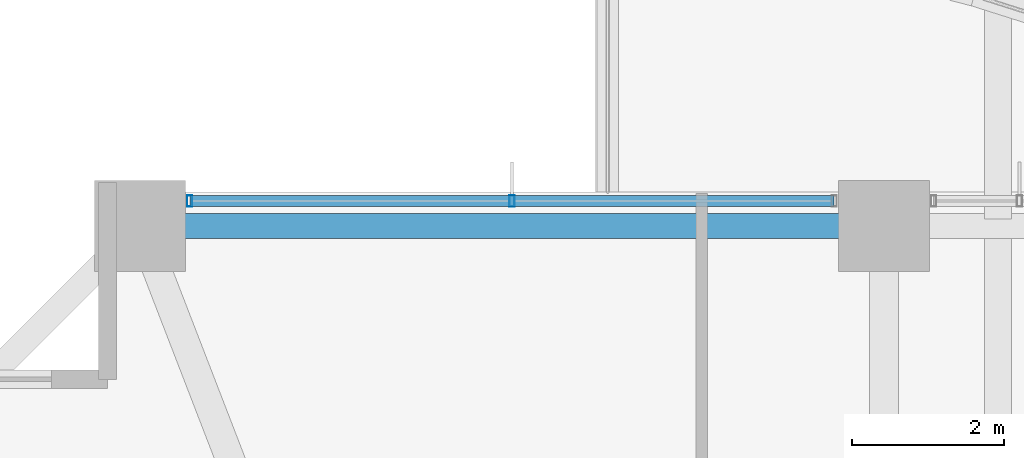
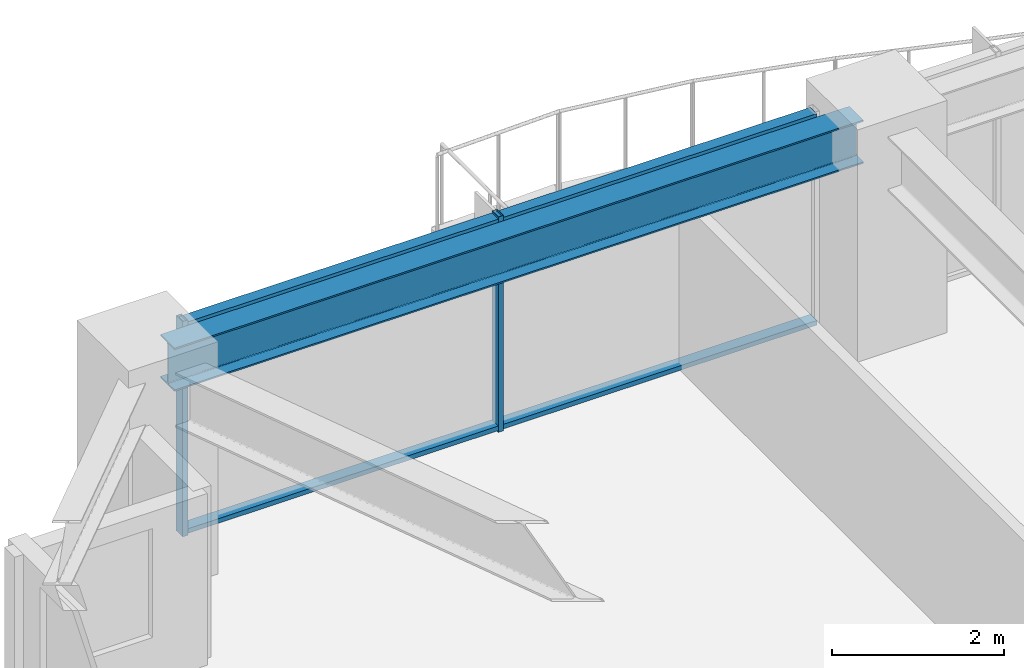
# One storey, part 19 of 38: 4 members, 1 beam, 1 element without a shape of its own.
"""IFC4 building model written with IfcOpenShell, lengths in metres."""

import ifcopenshell
import ifcopenshell.guid

model = None  # the IFC model being written
_history = None  # IfcOwnerHistory: only IFC2X3 demands one
_inside = {}  # id of a spatial element -> (the spatial element, [elements in it])
_under = {}  # id of a project, library or spatial element -> (it, [spatial elements below it])
_declared = {}  # id of a project -> (the project, [libraries it declares])
_typed = {}  # id of a type object -> (the type object, [elements of that type])
_made_of = {}  # id of a material, layer set ... -> (it, [elements and type objects made of it])


def new_model(schema):
    """Start an empty IFC model of exactly this schema.

    Asked for "IFC4X3", IfcOpenShell would pick the latest addendum, in which some entities
    have other attributes; the version numbers below select the first issue.
    IFC2X3 requires an IfcOwnerHistory on every rooted entity: one is made here for all.
    """
    global model, _history
    if schema == "IFC4X3":
        model = ifcopenshell.file(schema_version=(4, 3, 0, 0))
    else:
        model = ifcopenshell.file(schema=schema)
    _inside.clear()
    _under.clear()
    _declared.clear()
    _typed.clear()
    _made_of.clear()
    _history = None
    if model.schema == "IFC2X3":
        org = make("IfcOrganization", Name="unknown")
        user = make(
            "IfcPersonAndOrganization",
            ThePerson=make("IfcPerson", FamilyName="unknown"),
            TheOrganization=org,
        )
        app = make(
            "IfcApplication",
            ApplicationDeveloper=org,
            Version="unknown",
            ApplicationFullName="unknown",
            ApplicationIdentifier="unknown",
        )
        _history = make(
            "IfcOwnerHistory",
            OwningUser=user,
            OwningApplication=app,
            ChangeAction="ADDED",
            CreationDate=0,
        )
    return model


def make(cls, **values):
    """One entity of the class cls with the attributes given. An attribute that is None is left unset."""
    return model.create_entity(
        cls, **{name: value for name, value in values.items() if value is not None}
    )


def rooted(cls, **values):
    """An entity with a GlobalId (a new one), such as an element, a storey or a relation."""
    return make(cls, GlobalId=ifcopenshell.guid.new(), OwnerHistory=_history, **values)


def si_unit(unit_type, name, prefix=None):
    """IfcSIUnit, for example si_unit("LENGTHUNIT", "METRE", prefix="MILLI")."""
    return make("IfcSIUnit", UnitType=unit_type, Prefix=prefix, Name=name)


def assignment(units):
    """IfcUnitAssignment: the units of a project."""
    return None if units is None else make("IfcUnitAssignment", Units=units)


def point(xyz):
    """IfcCartesianPoint."""
    return None if xyz is None else make("IfcCartesianPoint", Coordinates=xyz)


def direction(xyz):
    """IfcDirection."""
    return None if xyz is None else make("IfcDirection", DirectionRatios=xyz)


def frame(location, z_axis=None, x_axis=None):
    """IfcAxis2Placement3D, a coordinate frame: its origin and axes. An axis left out is left unset."""
    return make(
        "IfcAxis2Placement3D",
        Location=point(location),
        Axis=direction(z_axis),
        RefDirection=direction(x_axis),
    )


def frame_2d(location, x_axis=None):
    """IfcAxis2Placement2D, a coordinate frame in the plane: its origin and x axis."""
    return make(
        "IfcAxis2Placement2D", Location=point(location), RefDirection=direction(x_axis)
    )


def origin():
    """The frame at (0, 0, 0) with its axes left unset."""
    return frame((0.0, 0.0, 0.0))


def origin_2d():
    """The frame at (0, 0) in the plane with its x axis left unset."""
    return frame_2d((0.0, 0.0))


def place(relative_to, where):
    """IfcLocalPlacement: puts the frame where relative to a parent placement (None: the world)."""
    return make(
        "IfcLocalPlacement", PlacementRelTo=relative_to, RelativePlacement=where
    )


def context(
    kind, dimensions, precision=None, world=None, true_north=None, identifier=None
):
    """IfcGeometricRepresentationContext, for example the 3D "Model" context."""
    return make(
        "IfcGeometricRepresentationContext",
        ContextIdentifier=identifier,
        ContextType=kind,
        CoordinateSpaceDimension=dimensions,
        Precision=precision,
        WorldCoordinateSystem=world,
        TrueNorth=true_north,
    )


def subcontext(parent, identifier, kind, view, scale=None):
    """IfcGeometricRepresentationSubContext, for example "Body" below "Model"."""
    return make(
        "IfcGeometricRepresentationSubContext",
        ContextIdentifier=identifier,
        ContextType=kind,
        ParentContext=parent,
        TargetScale=scale,
        TargetView=view,
    )


def project(units=None, contexts=None):
    """IfcProject with its units and contexts."""
    return rooted(
        "IfcProject",
        Name="project",
        RepresentationContexts=contexts,
        UnitsInContext=assignment(units),
    )


def spatial(cls, under=None, at=None, **own):
    """A site, building, storey or space (cls), placed at a placement, below another one or the project."""
    s = rooted(cls, ObjectPlacement=at, **own)
    if under is not None:
        _under.setdefault(under.id(), (under, []))[1].append(s)
    return s


def profile(cls, at=None, kind="AREA", **sizes):
    """A parametric profile (cls). Its sizes go by their IFC names, for example OverallWidth=200.0."""
    return make(cls, ProfileType=kind, Position=at, **sizes)


def hollow_rectangle(**sizes):
    """IfcRectangleHollowProfileDef."""
    return profile("IfcRectangleHollowProfileDef", **sizes)


def i_section(**sizes):
    """IfcIShapeProfileDef."""
    return profile("IfcIShapeProfileDef", **sizes)


def extrude(swept, where, along, depth):
    """IfcExtrudedAreaSolid: the profile swept, set in the frame where, extruded along a direction by depth."""
    return make(
        "IfcExtrudedAreaSolid",
        SweptArea=swept,
        Position=where,
        ExtrudedDirection=direction(along),
        Depth=depth,
    )


def shape(context_of_items, identifier, shape_type, items):
    """IfcShapeRepresentation: the items that make up one representation, for example the "Body"."""
    return make(
        "IfcShapeRepresentation",
        ContextOfItems=context_of_items,
        RepresentationIdentifier=identifier,
        RepresentationType=shape_type,
        Items=items,
    )


def material(Name=None, Category=None):
    """IfcMaterial."""
    return make("IfcMaterial", Name=Name, Category=Category)


def material_profile(
    of_material, cross_section, Name=None, Category=None, Priority=None
):
    """IfcMaterialProfile: a cross section and its material."""
    return make(
        "IfcMaterialProfile",
        Name=Name,
        Material=of_material,
        Profile=cross_section,
        Priority=Priority,
        Category=Category,
    )


def profile_set(profiles, Name=None, composite=None):
    """IfcMaterialProfileSet."""
    return make(
        "IfcMaterialProfileSet",
        Name=Name,
        MaterialProfiles=profiles,
        CompositeProfile=composite,
    )


def made_of(thing, what):
    """Note that an element or type object is made of a material, layer set ...; save() writes the relation."""
    if what is not None:
        _made_of.setdefault(what.id(), (what, []))[1].append(thing)
    return thing


def type_object(cls, material=None, **own):
    """A type object (cls), such as IfcWallType, which elements share."""
    return made_of(rooted(cls, **own), material)


def element(
    cls,
    number,
    at=None,
    inside=None,
    cuts=None,
    type_object=None,
    material=None,
    context=None,
    identifier="Body",
    shape_type=None,
    held_by="IfcProductDefinitionShape",
    body=None,
    shapes=None,
    **own,
):
    """One element of the class cls, such as IfcWall. Its Tag is "e" and its number.

    at: its placement. inside: the storey or other place that contains it. cuts: it is an
    opening in that element (IfcRelVoidsElement). A single representation is given by context,
    identifier, shape_type and body (its items); several are given by shapes. held_by: the class
    of the entity that holds the representations. save() writes the other relations.
    """
    e = rooted(cls, Tag="e%d" % number, ObjectPlacement=at, **own)
    if body is not None:
        shapes = [shape(context, identifier, shape_type, body)]
    if shapes is not None:
        e.Representation = make(held_by, Representations=shapes)
    if inside is not None:
        _inside.setdefault(inside.id(), (inside, []))[1].append(e)
    if cuts is not None:
        rooted(
            "IfcRelVoidsElement", RelatingBuildingElement=cuts, RelatedOpeningElement=e
        )
    if type_object is not None:
        _typed.setdefault(type_object.id(), (type_object, []))[1].append(e)
    return made_of(e, material)


def aggregate(whole, parts):
    """IfcRelAggregates: a whole, such as a stair, and the parts it consists of."""
    return rooted("IfcRelAggregates", RelatingObject=whole, RelatedObjects=parts)


def save(model, path):
    """Write the relations noted so far, then the file.

    IfcRelAggregates (storeys below a building ...), IfcRelContainedInSpatialStructure (elements
    in a storey), IfcRelDefinesByType, IfcRelAssociatesMaterial and IfcRelDeclares: one each for
    every whole, place, type object, material and project.
    """
    for whole, parts in _under.values():
        aggregate(whole, parts)
    for where, things in _inside.values():
        rooted(
            "IfcRelContainedInSpatialStructure",
            RelatedElements=things,
            RelatingStructure=where,
        )
    for kind, things in _typed.values():
        rooted("IfcRelDefinesByType", RelatedObjects=things, RelatingType=kind)
    for what, things in _made_of.values():
        rooted("IfcRelAssociatesMaterial", RelatedObjects=things, RelatingMaterial=what)
    for by, libraries in _declared.values():
        rooted("IfcRelDeclares", RelatingContext=by, RelatedDefinitions=libraries)
    model.write(path)


model = new_model("IFC4")

# Units and contexts
model_context = context("Model", 3, precision=1e-05, world=origin(), true_north=direction((0.0, 1.0)))
body_context = subcontext(model_context, "Body", "Model", "MODEL_VIEW")
ifc_project = project(units=[si_unit("LENGTHUNIT", "METRE"), si_unit("AREAUNIT", "SQUARE_METRE"), si_unit("VOLUMEUNIT", "CUBIC_METRE"), si_unit("PLANEANGLEUNIT", "RADIAN"), si_unit("MASSUNIT", "GRAM", prefix="KILO")], contexts=[model_context])

# Site, building, storey
site_placement = place(None, origin())
site = spatial("IfcSite", under=ifc_project, at=site_placement, CompositionType="ELEMENT")
building_placement = place(site_placement, origin())
building = spatial("IfcBuilding", under=site, at=building_placement, Name="Kolvaren Belvedere", CompositionType="ELEMENT")
storey_placement = place(building_placement, frame((0.0, 0.0, 27.10009765625)))
storey = spatial("IfcBuildingStorey", under=building, at=storey_placement, Name="L07", CompositionType="ELEMENT", Elevation=27.10009765625)

# Beam
ifc_material_1 = material(Name="Structural steel ASTM A992 Grade 50", Category="steel")
ifc_material_profile_1 = material_profile(ifc_material_1, i_section(OverallWidth=0.324951171875, OverallDepth=0.615966796875, WebThickness=0.013916015625, FlangeThickness=0.021484375, FilletRadius=0.02001953125, at=origin_2d()), Name="W24X117")
ifc_profile_set_1 = profile_set([ifc_material_profile_1], Name="Structural steel ASTM A992 Grade 50")
beam_type = type_object("IfcBeamType", Name="BM-SPAN-W24X117", PredefinedType="SPANDREL", material=ifc_profile_set_1)
beam_placement = place(storey_placement, frame((-4.8701171875, 21.550048828125, 2.751953125), z_axis=(-1.0, 0.0, 0.0), x_axis=(0.0, -1.0, 0.0)))
element("IfcBeam", 1, at=beam_placement, inside=storey, type_object=beam_type, Name="L07 Perimeter Spandrel N2-N1", PredefinedType="SPANDREL", context=body_context, shape_type="SweptSolid", body=[
    extrude(i_section(OverallWidth=0.324951171875, OverallDepth=0.615966796875, WebThickness=0.013916015625, FlangeThickness=0.021484375, FilletRadius=0.02001953125, at=origin_2d()), origin(), (0.0, 0.0, 1.0), 9.259765625),
])

# Curtain wall, members
ifc_material_2 = material(Name="Anodised pale-metal aluminium AA 6063-T6", Category="aluminium")
curtain_wall_type = type_object("IfcCurtainWallType", Name="CW-Z1-LOW", PredefinedType="NOTDEFINED", material=ifc_material_2)
curtain_wall_placement = place(storey_placement, origin())
curtain_wall = element("IfcCurtainWall", 2, at=curtain_wall_placement, inside=storey, type_object=curtain_wall_type, Name="L07 Unitised Curtain Wall FCW-L07-N1-B1", PredefinedType="NOTDEFINED")
ifc_material_3 = material(Name="Anodised pale-metal aluminium AA 6063-T6", Category="aluminium")
ifc_material_profile_2 = material_profile(ifc_material_3, hollow_rectangle(XDim=0.070068359375, YDim=0.14990234375, WallThickness=0.004150390625, at=origin_2d()), Name="ALU-MUL-150X70")
ifc_profile_set_2 = profile_set([ifc_material_profile_2], Name="Anodised pale-metal aluminium AA 6063-T6")
member_type_1 = type_object("IfcMemberType", Name="CW-MUL-150", PredefinedType="MULLION", material=ifc_profile_set_2)
member_1_placement = place(storey_placement, frame((-13.7451171875, 21.8798828125, 0.0), z_axis=(0.0, 0.0, 1.0), x_axis=(1.0, 0.0, 0.0)))
member_1 = element("IfcMember", 3, at=member_1_placement, type_object=member_type_1, Name="FCW-L07-N1-B1 Unitised Mullion 1", PredefinedType="MULLION", context=body_context, shape_type="SweptSolid", body=[
    extrude(hollow_rectangle(XDim=0.070068359375, YDim=0.14990234375, WallThickness=0.004150390625, at=origin_2d()), origin(), (0.0, 0.0, 1.0), 3.059814453125),
])
member_2_placement = place(storey_placement, frame((-9.5, 21.8798828125, 0.0), z_axis=(0.0, 0.0, 1.0), x_axis=(1.0, 0.0, 0.0)))
member_2 = element("IfcMember", 4, at=member_2_placement, type_object=member_type_1, Name="FCW-L07-N1-B1 Unitised Mullion 2", PredefinedType="MULLION", context=body_context, shape_type="SweptSolid", body=[
    extrude(hollow_rectangle(XDim=0.070068359375, YDim=0.14990234375, WallThickness=0.004150390625, at=origin_2d()), origin(), (0.0, 0.0, 1.0), 3.059814453125),
])
ifc_material_4 = material(Name="Anodised pale-metal aluminium AA 6063-T6", Category="aluminium")
ifc_material_profile_3 = material_profile(ifc_material_4, hollow_rectangle(XDim=0.06494140625, YDim=0.14990234375, WallThickness=0.00390625, at=origin_2d()), Name="ALU-TRN-150X65")
ifc_profile_set_3 = profile_set([ifc_material_profile_3], Name="Anodised pale-metal aluminium AA 6063-T6")
member_type_2 = type_object("IfcMemberType", Name="CW-TRN-150", PredefinedType="USERDEFINED", material=ifc_profile_set_3)
member_3_placement = place(storey_placement, frame((-13.7451171875, 21.8798828125, 0.059814453125), z_axis=(1.0, 0.0, 0.0), x_axis=(0.0, 0.0, 1.0)))
member_3 = element("IfcMember", 5, at=member_3_placement, type_object=member_type_2, Name="FCW-L07-N1-B1 Sill Transom", ObjectType="TRANSOM", PredefinedType="USERDEFINED", context=body_context, shape_type="SweptSolid", body=[
    extrude(hollow_rectangle(XDim=0.06494140625, YDim=0.14990234375, WallThickness=0.00390625, at=origin_2d()), origin(), (0.0, 0.0, 1.0), 8.490234375),
])
member_4_placement = place(storey_placement, frame((-13.7451171875, 21.8798828125, 3.0), z_axis=(1.0, 0.0, 0.0), x_axis=(0.0, 0.0, 1.0)))
member_4 = element("IfcMember", 6, at=member_4_placement, type_object=member_type_2, Name="FCW-L07-N1-B1 Head Transom", ObjectType="TRANSOM", PredefinedType="USERDEFINED", context=body_context, shape_type="SweptSolid", body=[
    extrude(hollow_rectangle(XDim=0.06494140625, YDim=0.14990234375, WallThickness=0.00390625, at=origin_2d()), origin(), (0.0, 0.0, 1.0), 8.490234375),
])
aggregate(curtain_wall, [member_1, member_2, member_3, member_4])

save(model, "model.ifc")
